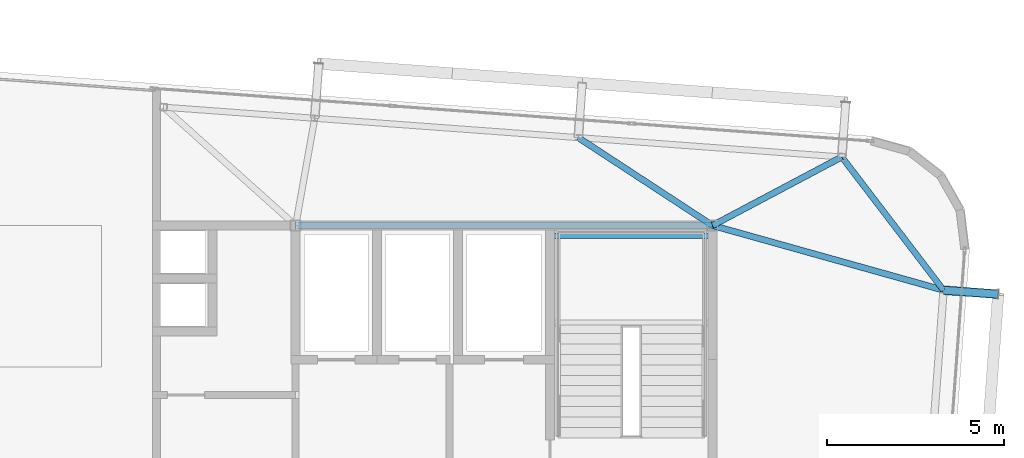
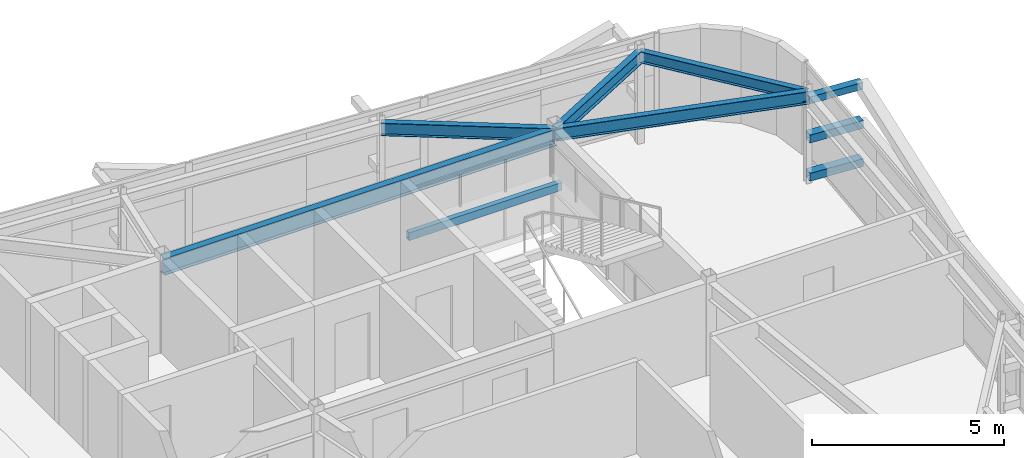
# One storey, part 19 of 36: 6 beams, 3 members.
"""IFC4 building model written with IfcOpenShell, lengths in metres."""

import ifcopenshell
import ifcopenshell.guid

model = None  # the IFC model being written
_history = None  # IfcOwnerHistory: only IFC2X3 demands one
_inside = {}  # id of a spatial element -> (the spatial element, [elements in it])
_under = {}  # id of a project, library or spatial element -> (it, [spatial elements below it])
_declared = {}  # id of a project -> (the project, [libraries it declares])
_typed = {}  # id of a type object -> (the type object, [elements of that type])
_made_of = {}  # id of a material, layer set ... -> (it, [elements and type objects made of it])


def new_model(schema):
    """Start an empty IFC model of exactly this schema.

    Asked for "IFC4X3", IfcOpenShell would pick the latest addendum, in which some entities
    have other attributes; the version numbers below select the first issue.
    IFC2X3 requires an IfcOwnerHistory on every rooted entity: one is made here for all.
    """
    global model, _history
    if schema == "IFC4X3":
        model = ifcopenshell.file(schema_version=(4, 3, 0, 0))
    else:
        model = ifcopenshell.file(schema=schema)
    _inside.clear()
    _under.clear()
    _declared.clear()
    _typed.clear()
    _made_of.clear()
    _history = None
    if model.schema == "IFC2X3":
        org = make("IfcOrganization", Name="unknown")
        user = make(
            "IfcPersonAndOrganization",
            ThePerson=make("IfcPerson", FamilyName="unknown"),
            TheOrganization=org,
        )
        app = make(
            "IfcApplication",
            ApplicationDeveloper=org,
            Version="unknown",
            ApplicationFullName="unknown",
            ApplicationIdentifier="unknown",
        )
        _history = make(
            "IfcOwnerHistory",
            OwningUser=user,
            OwningApplication=app,
            ChangeAction="ADDED",
            CreationDate=0,
        )
    return model


def make(cls, **values):
    """One entity of the class cls with the attributes given. An attribute that is None is left unset."""
    return model.create_entity(
        cls, **{name: value for name, value in values.items() if value is not None}
    )


def rooted(cls, **values):
    """An entity with a GlobalId (a new one), such as an element, a storey or a relation."""
    return make(cls, GlobalId=ifcopenshell.guid.new(), OwnerHistory=_history, **values)


def si_unit(unit_type, name, prefix=None):
    """IfcSIUnit, for example si_unit("LENGTHUNIT", "METRE", prefix="MILLI")."""
    return make("IfcSIUnit", UnitType=unit_type, Prefix=prefix, Name=name)


def assignment(units):
    """IfcUnitAssignment: the units of a project."""
    return None if units is None else make("IfcUnitAssignment", Units=units)


def point(xyz):
    """IfcCartesianPoint."""
    return None if xyz is None else make("IfcCartesianPoint", Coordinates=xyz)


def direction(xyz):
    """IfcDirection."""
    return None if xyz is None else make("IfcDirection", DirectionRatios=xyz)


def frame(location, z_axis=None, x_axis=None):
    """IfcAxis2Placement3D, a coordinate frame: its origin and axes. An axis left out is left unset."""
    return make(
        "IfcAxis2Placement3D",
        Location=point(location),
        Axis=direction(z_axis),
        RefDirection=direction(x_axis),
    )


def frame_2d(location, x_axis=None):
    """IfcAxis2Placement2D, a coordinate frame in the plane: its origin and x axis."""
    return make(
        "IfcAxis2Placement2D", Location=point(location), RefDirection=direction(x_axis)
    )


def origin():
    """The frame at (0, 0, 0) with its axes left unset."""
    return frame((0.0, 0.0, 0.0))


def origin_2d():
    """The frame at (0, 0) in the plane with its x axis left unset."""
    return frame_2d((0.0, 0.0))


def place(relative_to, where):
    """IfcLocalPlacement: puts the frame where relative to a parent placement (None: the world)."""
    return make(
        "IfcLocalPlacement", PlacementRelTo=relative_to, RelativePlacement=where
    )


def context(
    kind, dimensions, precision=None, world=None, true_north=None, identifier=None
):
    """IfcGeometricRepresentationContext, for example the 3D "Model" context."""
    return make(
        "IfcGeometricRepresentationContext",
        ContextIdentifier=identifier,
        ContextType=kind,
        CoordinateSpaceDimension=dimensions,
        Precision=precision,
        WorldCoordinateSystem=world,
        TrueNorth=true_north,
    )


def subcontext(parent, identifier, kind, view, scale=None):
    """IfcGeometricRepresentationSubContext, for example "Body" below "Model"."""
    return make(
        "IfcGeometricRepresentationSubContext",
        ContextIdentifier=identifier,
        ContextType=kind,
        ParentContext=parent,
        TargetScale=scale,
        TargetView=view,
    )


def project(units=None, contexts=None):
    """IfcProject with its units and contexts."""
    return rooted(
        "IfcProject",
        Name="project",
        RepresentationContexts=contexts,
        UnitsInContext=assignment(units),
    )


def spatial(cls, under=None, at=None, **own):
    """A site, building, storey or space (cls), placed at a placement, below another one or the project."""
    s = rooted(cls, ObjectPlacement=at, **own)
    if under is not None:
        _under.setdefault(under.id(), (under, []))[1].append(s)
    return s


def profile(cls, at=None, kind="AREA", **sizes):
    """A parametric profile (cls). Its sizes go by their IFC names, for example OverallWidth=200.0."""
    return make(cls, ProfileType=kind, Position=at, **sizes)


def hollow_rectangle(**sizes):
    """IfcRectangleHollowProfileDef."""
    return profile("IfcRectangleHollowProfileDef", **sizes)


def i_section(**sizes):
    """IfcIShapeProfileDef."""
    return profile("IfcIShapeProfileDef", **sizes)


def extrude(swept, where, along, depth):
    """IfcExtrudedAreaSolid: the profile swept, set in the frame where, extruded along a direction by depth."""
    return make(
        "IfcExtrudedAreaSolid",
        SweptArea=swept,
        Position=where,
        ExtrudedDirection=direction(along),
        Depth=depth,
    )


def shape(context_of_items, identifier, shape_type, items):
    """IfcShapeRepresentation: the items that make up one representation, for example the "Body"."""
    return make(
        "IfcShapeRepresentation",
        ContextOfItems=context_of_items,
        RepresentationIdentifier=identifier,
        RepresentationType=shape_type,
        Items=items,
    )


def source(mapping_origin, context_of_items, identifier, shape_type, items):
    """IfcRepresentationMap: a shape defined once, which mapped items show again and again."""
    return make(
        "IfcRepresentationMap",
        MappingOrigin=mapping_origin,
        MappedRepresentation=shape(context_of_items, identifier, shape_type, items),
    )


def transform(
    local_origin,
    x_axis=None,
    y_axis=None,
    z_axis=None,
    scale=None,
    scale2=None,
    scale3=None,
    uniform=True,
):
    """IfcCartesianTransformationOperator3D, or its non-uniform kind. x_axis, y_axis, z_axis: its Axis1, 2, 3."""
    if uniform:
        return make(
            "IfcCartesianTransformationOperator3D",
            Axis1=direction(x_axis),
            Axis2=direction(y_axis),
            LocalOrigin=point(local_origin),
            Scale=scale,
            Axis3=direction(z_axis),
        )
    return make(
        "IfcCartesianTransformationOperator3DnonUniform",
        Axis1=direction(x_axis),
        Axis2=direction(y_axis),
        LocalOrigin=point(local_origin),
        Scale=scale,
        Axis3=direction(z_axis),
        Scale2=scale2,
        Scale3=scale3,
    )


def mapped(mapping_source, mapping_target):
    """IfcMappedItem: shows the shape of a source again, moved by a transform."""
    return make(
        "IfcMappedItem", MappingSource=mapping_source, MappingTarget=mapping_target
    )


def material(Name=None, Category=None):
    """IfcMaterial."""
    return make("IfcMaterial", Name=Name, Category=Category)


def material_profile(
    of_material, cross_section, Name=None, Category=None, Priority=None
):
    """IfcMaterialProfile: a cross section and its material."""
    return make(
        "IfcMaterialProfile",
        Name=Name,
        Material=of_material,
        Profile=cross_section,
        Priority=Priority,
        Category=Category,
    )


def profile_set(profiles, Name=None, composite=None):
    """IfcMaterialProfileSet."""
    return make(
        "IfcMaterialProfileSet",
        Name=Name,
        MaterialProfiles=profiles,
        CompositeProfile=composite,
    )


def made_of(thing, what):
    """Note that an element or type object is made of a material, layer set ...; save() writes the relation."""
    if what is not None:
        _made_of.setdefault(what.id(), (what, []))[1].append(thing)
    return thing


def type_object(cls, material=None, **own):
    """A type object (cls), such as IfcWallType, which elements share."""
    return made_of(rooted(cls, **own), material)


def element(
    cls,
    number,
    at=None,
    inside=None,
    cuts=None,
    type_object=None,
    material=None,
    context=None,
    identifier="Body",
    shape_type=None,
    held_by="IfcProductDefinitionShape",
    body=None,
    shapes=None,
    **own,
):
    """One element of the class cls, such as IfcWall. Its Tag is "e" and its number.

    at: its placement. inside: the storey or other place that contains it. cuts: it is an
    opening in that element (IfcRelVoidsElement). A single representation is given by context,
    identifier, shape_type and body (its items); several are given by shapes. held_by: the class
    of the entity that holds the representations. save() writes the other relations.
    """
    e = rooted(cls, Tag="e%d" % number, ObjectPlacement=at, **own)
    if body is not None:
        shapes = [shape(context, identifier, shape_type, body)]
    if shapes is not None:
        e.Representation = make(held_by, Representations=shapes)
    if inside is not None:
        _inside.setdefault(inside.id(), (inside, []))[1].append(e)
    if cuts is not None:
        rooted(
            "IfcRelVoidsElement", RelatingBuildingElement=cuts, RelatedOpeningElement=e
        )
    if type_object is not None:
        _typed.setdefault(type_object.id(), (type_object, []))[1].append(e)
    return made_of(e, material)


def aggregate(whole, parts):
    """IfcRelAggregates: a whole, such as a stair, and the parts it consists of."""
    return rooted("IfcRelAggregates", RelatingObject=whole, RelatedObjects=parts)


def save(model, path):
    """Write the relations noted so far, then the file.

    IfcRelAggregates (storeys below a building ...), IfcRelContainedInSpatialStructure (elements
    in a storey), IfcRelDefinesByType, IfcRelAssociatesMaterial and IfcRelDeclares: one each for
    every whole, place, type object, material and project.
    """
    for whole, parts in _under.values():
        aggregate(whole, parts)
    for where, things in _inside.values():
        rooted(
            "IfcRelContainedInSpatialStructure",
            RelatedElements=things,
            RelatingStructure=where,
        )
    for kind, things in _typed.values():
        rooted("IfcRelDefinesByType", RelatedObjects=things, RelatingType=kind)
    for what, things in _made_of.values():
        rooted("IfcRelAssociatesMaterial", RelatedObjects=things, RelatingMaterial=what)
    for by, libraries in _declared.values():
        rooted("IfcRelDeclares", RelatingContext=by, RelatedDefinitions=libraries)
    model.write(path)


model = new_model("IFC4")

# Units and contexts
model_context = context("Model", 3, precision=1e-05, world=origin(), true_north=direction((0.0, 1.0)))
body_context = subcontext(model_context, "Body", "Model", "MODEL_VIEW")
ifc_project = project(units=[si_unit("LENGTHUNIT", "METRE"), si_unit("AREAUNIT", "SQUARE_METRE"), si_unit("VOLUMEUNIT", "CUBIC_METRE"), si_unit("PLANEANGLEUNIT", "RADIAN"), si_unit("MASSUNIT", "GRAM", prefix="KILO")], contexts=[model_context])

# Site, building, storey
site_placement = place(None, origin())
site = spatial("IfcSite", under=ifc_project, at=site_placement, CompositionType="ELEMENT")
building_placement = place(site_placement, origin())
building = spatial("IfcBuilding", under=site, at=building_placement, Name="Taldren Reach Tower", CompositionType="ELEMENT")
storey_placement = place(building_placement, frame((0.0, 0.0, 227.14990234375)))
storey = spatial("IfcBuildingStorey", under=building, at=storey_placement, Name="L69", CompositionType="ELEMENT", Elevation=227.14990234375)

# Beams
ifc_material_1 = material(Name="Steel Gr 350 (350PLUS)", Category="steel")
ifc_material_profile_1 = material_profile(ifc_material_1, i_section(OverallWidth=0.208984375, OverallDepth=0.532958984375, WebThickness=0.01025390625, FlangeThickness=0.015625, at=origin_2d()), Name="530UB92.4")
ifc_profile_set_1 = profile_set([ifc_material_profile_1], Name="Steel Gr 350 (350PLUS)")
beam_type_1 = type_object("IfcBeamType", Name="BM-UB530A", PredefinedType="BEAM", material=ifc_profile_set_1)
shared_shape_1 = source(origin(), body_context, "Body", "SweptSolid", [
    extrude(i_section(OverallWidth=0.208984375, OverallDepth=0.532958984375, WebThickness=0.01025390625, FlangeThickness=0.015625, at=origin_2d()), origin(), (0.0, 0.0, 1.0), 11.800048828125),
])
beam_1_placement = place(storey_placement, frame((39.199951171875, 32.0, 2.66357421875), z_axis=(1.0, 0.0, 0.0), x_axis=(0.0, 1.0, 0.0)))
element("IfcBeam", 1, at=beam_1_placement, inside=storey, type_object=beam_type_1, Name="Core-spine girder L69-SP06", PredefinedType="BEAM", context=body_context, shape_type="MappedRepresentation", body=[
    mapped(shared_shape_1, transform((0.0, 0.0, 0.0), scale=1.0)),
])
ifc_material_profile_2 = material_profile(ifc_material_1, i_section(OverallWidth=0.172119140625, OverallDepth=0.35888671875, WebThickness=0.008056640625, FlangeThickness=0.012939453125, at=origin_2d()), Name="360UB56.7")
ifc_profile_set_2 = profile_set([ifc_material_profile_2], Name="Steel Gr 350 (350PLUS)")
beam_type_2 = type_object("IfcBeamType", Name="SP-UB360", PredefinedType="SPANDREL", material=ifc_profile_set_2)
shared_shape_2 = source(origin(), body_context, "Body", "SweptSolid", [
    extrude(i_section(OverallWidth=0.172119140625, OverallDepth=0.35888671875, WebThickness=0.008056640625, FlangeThickness=0.012939453125, at=origin_2d()), origin(), (0.0, 0.0, 1.0), 4.745849609375),
])
beam_2_placement = place(storey_placement, frame((57.540771484375, 30.168701171875, 2.75048828125), z_axis=(-0.607136906115, 0.79459724215, 0.0), x_axis=(-0.79459724215, -0.607136906115, 0.0)))
element("IfcBeam", 2, at=beam_2_placement, inside=storey, type_object=beam_type_2, Name="Perimeter spandrel B5 E3-N6 L69", PredefinedType="SPANDREL", context=body_context, shape_type="MappedRepresentation", body=[
    mapped(shared_shape_2, transform((0.0, 0.0, 0.0), scale=1.0)),
])
ifc_material_profile_3 = material_profile(ifc_material_1, i_section(OverallWidth=0.177978515625, OverallDepth=0.406005859375, WebThickness=0.0078125, FlangeThickness=0.0126953125, at=origin_2d()), Name="410UB59.7")
ifc_profile_set_3 = profile_set([ifc_material_profile_3], Name="Steel Gr 350 (350PLUS)")
beam_type_3 = type_object("IfcBeamType", Name="BM-UB410", PredefinedType="BEAM", material=ifc_profile_set_3)
shared_shape_3 = source(origin(), body_context, "Body", "SweptSolid", [
    extrude(i_section(OverallWidth=0.177978515625, OverallDepth=0.406005859375, WebThickness=0.0078125, FlangeThickness=0.0126953125, at=origin_2d()), origin(), (0.0, 0.0, 1.0), 6.792236328125),
])
beam_3_placement = place(storey_placement, frame((51.0, 32.0, 2.72705078125), z_axis=(0.962968499215, -0.269613926789, 0.0), x_axis=(0.269613926789, 0.962968499215, 0.0)))
element("IfcBeam", 3, at=beam_3_placement, inside=storey, type_object=beam_type_3, Name="Primary floor girder B5-E3 L69", PredefinedType="BEAM", context=body_context, shape_type="MappedRepresentation", body=[
    mapped(shared_shape_3, transform((0.0, 0.0, 0.0), scale=1.0)),
])
shared_shape_4 = source(origin(), body_context, "Body", "SweptSolid", [
    extrude(i_section(OverallWidth=0.177978515625, OverallDepth=0.406005859375, WebThickness=0.0078125, FlangeThickness=0.0126953125, at=origin_2d()), origin(), (0.0, 0.0, 1.0), 4.1416015625),
])
beam_4_placement = place(storey_placement, frame((51.0, 32.0, 2.72705078125), z_axis=(0.883552655042, 0.468331832965, 0.0), x_axis=(-0.468331832965, 0.883552655042, 0.0)))
element("IfcBeam", 4, at=beam_4_placement, inside=storey, type_object=beam_type_3, Name="Primary floor girder B5-N6 L69", PredefinedType="BEAM", context=body_context, shape_type="MappedRepresentation", body=[
    mapped(shared_shape_4, transform((0.0, 0.0, 0.0), scale=1.0)),
])
shared_shape_5 = source(origin(), body_context, "Body", "SweptSolid", [
    extrude(i_section(OverallWidth=0.177978515625, OverallDepth=0.406005859375, WebThickness=0.0078125, FlangeThickness=0.0126953125, at=origin_2d()), origin(), (0.0, 0.0, 1.0), 4.542236328125),
])
beam_5_placement = place(storey_placement, frame((51.0, 32.0, 2.72705078125), z_axis=(-0.836709129479, 0.547647544181, 0.0), x_axis=(-0.547647544181, -0.836709129479, 0.0)))
element("IfcBeam", 5, at=beam_5_placement, inside=storey, type_object=beam_type_3, Name="Primary floor girder B5-N5 L69", PredefinedType="BEAM", context=body_context, shape_type="MappedRepresentation", body=[
    mapped(shared_shape_5, transform((0.0, 0.0, 0.0), scale=1.0)),
])

# Members
ifc_material_2 = material(Name="Steel Gr 450 (C450L0)", Category="steel")
ifc_material_profile_4 = material_profile(ifc_material_2, hollow_rectangle(XDim=0.219970703125, YDim=0.219970703125, WallThickness=0.00830078125, at=origin_2d()), Name="220x220x8.2SHS")
ifc_profile_set_4 = profile_set([ifc_material_profile_4], Name="Steel Gr 450 (C450L0)")
member_type_1 = type_object("IfcMemberType", Name="MB-TIE219", PredefinedType="STRUT", material=ifc_profile_set_4)
shared_shape_6 = source(origin(), body_context, "Body", "SweptSolid", [
    extrude(hollow_rectangle(XDim=0.219970703125, YDim=0.219970703125, WallThickness=0.00830078125, at=origin_2d()), origin(), (0.0, 0.0, 1.0), 1.5458984375),
])
member_placement = place(storey_placement, frame((57.544921875, 30.168212890625, 2.650146484375), z_axis=(0.99732305975, -0.073121231459, 0.0), x_axis=(0.073121231459, 0.99732305975, 0.0)))
element("IfcMember", 6, at=member_placement, inside=storey, type_object=member_type_1, Name="Exoskeleton diaphragm tie strut B5-E3 L69", PredefinedType="STRUT", context=body_context, shape_type="MappedRepresentation", body=[
    mapped(shared_shape_6, transform((0.0, 0.0, 0.0), scale=1.0)),
])
ifc_material_3 = material(Name="Steel Gr 350 (C350L0)", Category="steel")
ifc_material_profile_5 = material_profile(ifc_material_3, hollow_rectangle(XDim=0.25, YDim=0.25, WallThickness=0.010009765625, at=origin_2d()), Name="250x250x10.0SHS")
ifc_profile_set_5 = profile_set([ifc_material_profile_5], Name="Steel Gr 350 (C350L0)")
member_type_2 = type_object("IfcMemberType", Name="MB-POST250", PredefinedType="POST", material=ifc_profile_set_5)
shared_shape_7 = source(origin(), body_context, "Body", "SweptSolid", [
    extrude(hollow_rectangle(XDim=0.25, YDim=0.25, WallThickness=0.010009765625, at=origin_2d()), origin(), (0.0, 0.0, 1.0), 1.5458984375),
])
for number, where, z_axis, x_axis, name in (
    (7, (57.544921875, 30.168212890625, 0.22021484375), (0.99732305975, -0.073121231459, 0.0), (0.073121231459, 0.99732305975, 0.0), "Exoskeleton base diaphragm tie strut B5-E3 L69"),
    (8, (57.544921875, 30.168212890625, 1.43505859375), (0.99732305975, -0.073121231459, 0.0), (0.073121231459, 0.99732305975, 0.0), "Exoskeleton mid-tier diaphragm tie B5-E3 L69"),
):
    element("IfcMember", number, at=place(storey_placement, frame(where, z_axis=z_axis, x_axis=x_axis)), inside=storey, type_object=member_type_2, Name=name, PredefinedType="POST", context=body_context, shape_type="MappedRepresentation", body=[
        mapped(shared_shape_7, transform((0.0, 0.0, 0.0), scale=1.0)),
    ])

# Beam
ifc_material_profile_6 = material_profile(ifc_material_3, hollow_rectangle(XDim=0.14990234375, YDim=0.25, WallThickness=0.009033203125, at=origin_2d()), Name="250x150x9.0RHS")
ifc_profile_set_6 = profile_set([ifc_material_profile_6], Name="Steel Gr 350 (C350L0)")
beam_type_4 = type_object("IfcBeamType", Name="LN-RHS250", PredefinedType="LINTEL", material=ifc_profile_set_6)
shared_shape_8 = source(origin(), body_context, "Body", "SweptSolid", [
    extrude(hollow_rectangle(XDim=0.14990234375, YDim=0.25, WallThickness=0.009033203125, at=origin_2d()), origin(), (0.0, 0.0, 1.0), 4.60009765625),
])
beam_6_placement = place(storey_placement, frame((46.39990234375, 31.699951171875, 1.27001953125), z_axis=(1.0, 0.0, 0.0), x_axis=(0.0, 1.0, 0.0)))
element("IfcBeam", 9, at=beam_6_placement, inside=storey, type_object=beam_type_4, Name="Stair half-landing support beam ST2-L69-2", PredefinedType="LINTEL", context=body_context, shape_type="MappedRepresentation", body=[
    mapped(shared_shape_8, transform((0.0, 0.0, 0.0), scale=1.0)),
])

save(model, "model.ifc")
